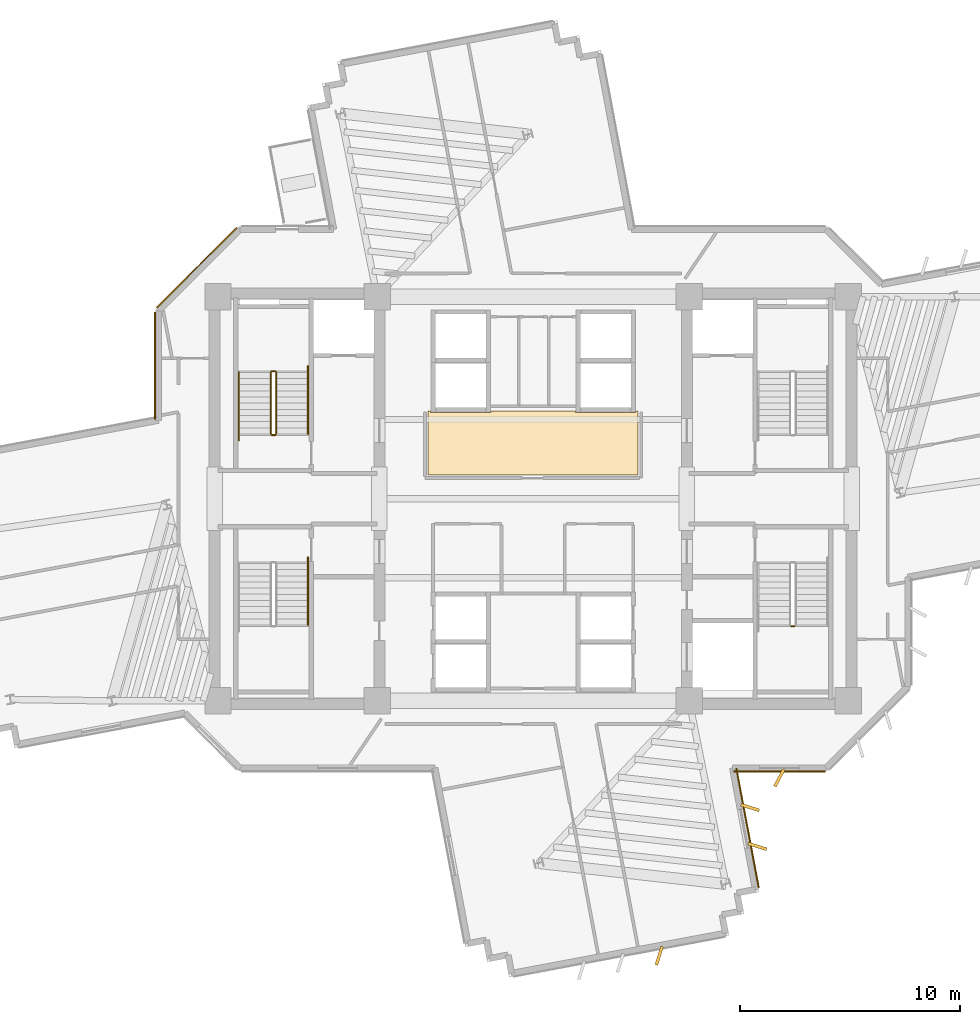
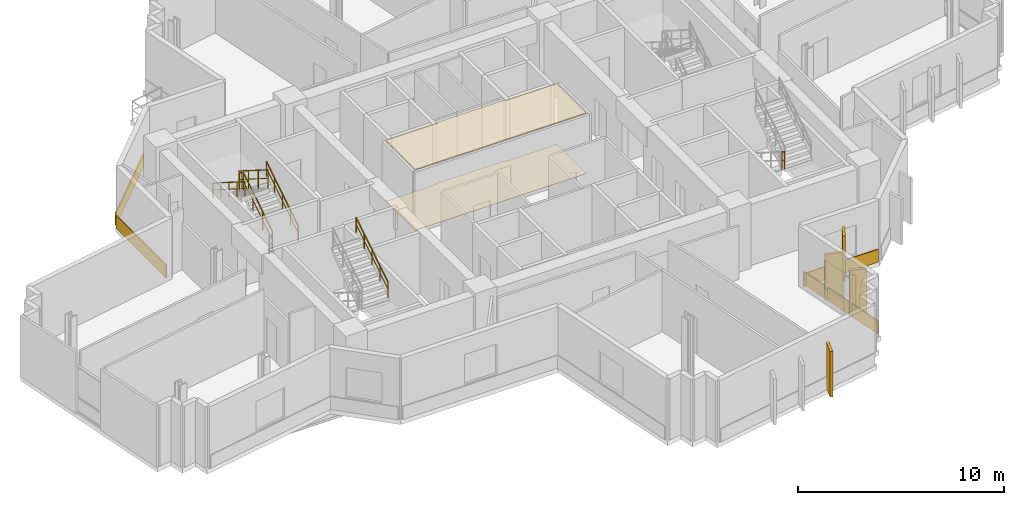
# One storey, part 14 of 16: 10 coverings, 8 railings.
"""IFC4 building model written with IfcOpenShell, lengths in metres."""

from ifc_helpers import new_model, si_unit, direction, frame, origin, origin_2d, place, context, subcontext, project, spatial, polyline, rectangle, outline, extrude, source, transform, mapped, material, layer, layer_set, type_object, element, save


model = new_model("IFC4")

# Units and contexts
model_context = context("Model", 3, precision=1e-05, world=origin(), true_north=direction((0.0, 1.0)))
body_context = subcontext(model_context, "Body", "Model", "MODEL_VIEW")
ifc_project = project(units=[si_unit("LENGTHUNIT", "METRE"), si_unit("AREAUNIT", "SQUARE_METRE"), si_unit("VOLUMEUNIT", "CUBIC_METRE"), si_unit("PLANEANGLEUNIT", "RADIAN"), si_unit("MASSUNIT", "GRAM", prefix="KILO")], contexts=[model_context])

# Site, building, storey
site_placement = place(None, origin())
site = spatial("IfcSite", under=ifc_project, at=site_placement, CompositionType="ELEMENT")
building_placement = place(site_placement, origin())
building = spatial("IfcBuilding", under=site, at=building_placement, Name="Zahravan Cultural Tower", CompositionType="ELEMENT")
storey_placement = place(building_placement, frame((0.0, 0.0, 151.199951171875)))
storey = spatial("IfcBuildingStorey", under=building, at=storey_placement, Name="L34", CompositionType="ELEMENT", Elevation=151.199951171875)

# Coverings
ifc_material_1 = material(Name="Acoustic mineral fibreboard")
ifc_layer_1 = layer(ifc_material_1, 0.0400390625)
ifc_layer_set_1 = layer_set([ifc_layer_1], Name="Acoustic mineral fibreboard")
covering_type_1 = type_object("IfcCoveringType", Name="COV-CEIL-AC20", PredefinedType="CEILING", material=ifc_layer_set_1)
covering_1_placement = place(storey_placement, frame((0.0, 0.0, 3.580078125)))
element("IfcCovering", 1, at=covering_1_placement, inside=storey, type_object=covering_type_1, Name="L34 Acoustic Suspended Ceiling", PredefinedType="CEILING", context=body_context, shape_type="SweptSolid", body=[
    extrude(outline(polyline([(31.219970703125, 31.0), (31.219970703125, 28.080078125), (40.780029296875, 28.080078125), (40.780029296875, 31.0), (40.669921875, 31.0), (40.669921875, 30.929931640625), (37.929931640625, 30.929931640625), (37.929931640625, 31.0), (34.070068359375, 31.0), (34.070068359375, 30.929931640625), (31.330078125, 30.929931640625), (31.330078125, 31.0), (31.219970703125, 31.0)])), origin(), (0.0, 0.0, 1.0), 0.0400390625),
])
ifc_material_2 = material(Name="Terrazzo flooring")
ifc_layer_2 = layer(ifc_material_2, 0.02490234375)
ifc_layer_set_2 = layer_set([ifc_layer_2], Name="Terrazzo flooring")
covering_type_2 = type_object("IfcCoveringType", Name="COV-FLR-TZ25", PredefinedType="FLOORING", material=ifc_layer_set_2)
covering_2_placement = place(storey_placement, origin())
element("IfcCovering", 2, at=covering_2_placement, inside=storey, type_object=covering_type_2, Name="L34 Polished Terrazzo Flooring", PredefinedType="FLOORING", context=body_context, shape_type="SweptSolid", body=[
    extrude(outline(polyline([(31.219970703125, 31.0), (31.219970703125, 28.080078125), (40.780029296875, 28.080078125), (40.780029296875, 31.0), (40.669921875, 31.0), (40.669921875, 30.929931640625), (37.929931640625, 30.929931640625), (37.929931640625, 31.0), (34.070068359375, 31.0), (34.070068359375, 30.929931640625), (31.330078125, 30.929931640625), (31.330078125, 31.0), (31.219970703125, 31.0)])), origin(), (0.0, 0.0, 1.0), 0.025146484375),
])

# Railings
ifc_material_3 = material(Name="Steel ASTM A572 Grade 50", Category="steel")
railing_type_1 = type_object("IfcRailingType", Name="RL-STAIR-GRD1150", PredefinedType="BALUSTRADE", material=ifc_material_3)
railing_1_placement = place(storey_placement, frame((24.300048828125, 29.949951171875, 0.17724609375)))
element("IfcRailing", 3, at=railing_1_placement, inside=storey, type_object=railing_type_1, Name="L34 ST-W1 stair guard 1", PredefinedType="BALUSTRADE", context=body_context, shape_type="SweptSolid", body=[
    extrude(rectangle(XDim=0.05, YDim=0.05, at=origin_2d()), frame((0.0, 0.0, 1.0751953125), z_axis=(0.0, 0.844908973607, 0.534910110503), x_axis=(-1.0, 0.0, 0.0)), (0.0, 0.0, 1.0), 3.31396484375),
    extrude(rectangle(XDim=0.032, YDim=0.032, at=origin_2d()), frame((0.0, 0.0, 0.572021484375), z_axis=(0.0, 0.844908973607, 0.534910110503), x_axis=(-1.0, 0.0, 0.0)), (0.0, 0.0, 1.0), 3.31396484375),
    extrude(rectangle(XDim=0.04, YDim=0.04, at=origin_2d()), origin(), (0.0, 0.0, 1.0), 1.10009765625),
    extrude(rectangle(XDim=0.04, YDim=0.04, at=origin_2d()), frame((0.0, 0.933349609375, 0.5908203125)), (0.0, 0.0, 1.0), 1.10009765625),
    extrude(rectangle(XDim=0.04, YDim=0.04, at=origin_2d()), frame((0.0, 1.86669921875, 1.181884765625)), (0.0, 0.0, 1.0), 1.10009765625),
    extrude(rectangle(XDim=0.04, YDim=0.04, at=origin_2d()), frame((0.0, 2.800048828125, 1.772705078125)), (0.0, 0.0, 1.0), 1.10009765625),
])
railing_2_placement = place(storey_placement, frame((24.25, 32.800048828125, 1.949951171875)))
element("IfcRailing", 4, at=railing_2_placement, inside=storey, type_object=railing_type_1, Name="L34 ST-W1 stair guard 2", PredefinedType="BALUSTRADE", context=body_context, shape_type="SweptSolid", body=[
    extrude(rectangle(XDim=0.05, YDim=0.05, at=origin_2d()), frame((0.0, 0.0, 1.0751953125), z_axis=(-1.0, 0.0, 0.0), x_axis=(0.0, -1.0, 0.0)), (0.0, 0.0, 1.0), 0.14990234375),
    extrude(rectangle(XDim=0.032, YDim=0.032, at=origin_2d()), frame((0.0, 0.0, 0.572021484375), z_axis=(-1.0, 0.0, 0.0), x_axis=(0.0, -1.0, 0.0)), (0.0, 0.0, 1.0), 0.14990234375),
    extrude(rectangle(XDim=0.04, YDim=0.04, at=origin_2d()), origin(), (0.0, 0.0, 1.0), 1.10009765625),
    extrude(rectangle(XDim=0.04, YDim=0.04, at=origin_2d()), frame((-0.14990234375, 0.0, 0.0)), (0.0, 0.0, 1.0), 1.10009765625),
])
railing_3_placement = place(storey_placement, frame((24.050048828125, 32.75, 2.12744140625)))
element("IfcRailing", 5, at=railing_3_placement, inside=storey, type_object=railing_type_1, Name="L34 ST-W1 stair guard 3", PredefinedType="BALUSTRADE", context=body_context, shape_type="SweptSolid", body=[
    extrude(rectangle(XDim=0.05, YDim=0.05, at=origin_2d()), frame((0.0, 0.0, 1.0751953125), z_axis=(0.0, -0.844908973607, 0.534910110503), x_axis=(1.0, 0.0, 0.0)), (0.0, 0.0, 1.0), 3.31396484375),
    extrude(rectangle(XDim=0.032, YDim=0.032, at=origin_2d()), frame((0.0, 0.0, 0.572021484375), z_axis=(0.0, -0.844908973607, 0.534910110503), x_axis=(1.0, 0.0, 0.0)), (0.0, 0.0, 1.0), 3.31396484375),
    extrude(rectangle(XDim=0.04, YDim=0.04, at=origin_2d()), origin(), (0.0, 0.0, 1.0), 1.10009765625),
    extrude(rectangle(XDim=0.04, YDim=0.04, at=origin_2d()), frame((0.0, -0.933349609375, 0.5908203125)), (0.0, 0.0, 1.0), 1.10009765625),
    extrude(rectangle(XDim=0.04, YDim=0.04, at=origin_2d()), frame((0.0, -1.86669921875, 1.181884765625)), (0.0, 0.0, 1.0), 1.10009765625),
    extrude(rectangle(XDim=0.04, YDim=0.04, at=origin_2d()), frame((0.0, -2.800048828125, 1.772705078125)), (0.0, 0.0, 1.0), 1.10009765625),
])
railing_4_placement = place(storey_placement, frame((24.25, 29.89990234375, 0.0)))
element("IfcRailing", 6, at=railing_4_placement, inside=storey, type_object=railing_type_1, Name="L34 ST-W1 stair guard 4", PredefinedType="BALUSTRADE", context=body_context, shape_type="SweptSolid", body=[
    extrude(rectangle(XDim=0.05, YDim=0.05, at=origin_2d()), frame((0.0, 0.0, 1.0751953125), z_axis=(-1.0, 0.0, 0.0), x_axis=(0.0, -1.0, 0.0)), (0.0, 0.0, 1.0), 0.14990234375),
    extrude(rectangle(XDim=0.032, YDim=0.032, at=origin_2d()), frame((0.0, 0.0, 0.572021484375), z_axis=(-1.0, 0.0, 0.0), x_axis=(0.0, -1.0, 0.0)), (0.0, 0.0, 1.0), 0.14990234375),
    extrude(rectangle(XDim=0.04, YDim=0.04, at=origin_2d()), origin(), (0.0, 0.0, 1.0), 1.10009765625),
    extrude(rectangle(XDim=0.04, YDim=0.04, at=origin_2d()), frame((-0.14990234375, 0.0, 0.0)), (0.0, 0.0, 1.0), 1.10009765625),
])
railing_5_placement = place(storey_placement, frame((47.75, 21.199951171875, 1.949951171875)))
element("IfcRailing", 7, at=railing_5_placement, inside=storey, type_object=railing_type_1, Name="L34 ST-E2 stair guard 2", PredefinedType="BALUSTRADE", context=body_context, shape_type="SweptSolid", body=[
    extrude(rectangle(XDim=0.05, YDim=0.05, at=origin_2d()), frame((0.0, 0.0, 1.0751953125), z_axis=(1.0, 0.0, 0.0), x_axis=(0.0, 1.0, 0.0)), (0.0, 0.0, 1.0), 0.14990234375),
    extrude(rectangle(XDim=0.032, YDim=0.032, at=origin_2d()), frame((0.0, 0.0, 0.572021484375), z_axis=(1.0, 0.0, 0.0), x_axis=(0.0, 1.0, 0.0)), (0.0, 0.0, 1.0), 0.14990234375),
    extrude(rectangle(XDim=0.04, YDim=0.04, at=origin_2d()), origin(), (0.0, 0.0, 1.0), 1.10009765625),
    extrude(rectangle(XDim=0.04, YDim=0.04, at=origin_2d()), frame((0.14990234375, 0.0, 0.0)), (0.0, 0.0, 1.0), 1.10009765625),
])
railing_type_2 = type_object("IfcRailingType", Name="RL-STAIR-HR900", PredefinedType="HANDRAIL", material=ifc_material_3)
railing_6_placement = place(storey_placement, frame((25.75, 29.949951171875, 0.17724609375)))
element("IfcRailing", 8, at=railing_6_placement, inside=storey, type_object=railing_type_2, Name="L34 ST-W1 stair handrail 1", PredefinedType="HANDRAIL", context=body_context, shape_type="SweptSolid", body=[
    extrude(rectangle(XDim=0.05, YDim=0.05, at=origin_2d()), frame((0.0, 0.0, 0.875), z_axis=(0.0, 0.844883648757, 0.534950109882), x_axis=(-1.0, 0.0, 0.0)), (0.0, 0.0, 1.0), 3.6455078125),
    extrude(rectangle(XDim=0.032, YDim=0.032, at=origin_2d()), frame((0.0, 0.0, 0.468017578125), z_axis=(0.0, 0.844883648757, 0.534950109882), x_axis=(-1.0, 0.0, 0.0)), (0.0, 0.0, 1.0), 3.6455078125),
    extrude(rectangle(XDim=0.04, YDim=0.04, at=origin_2d()), origin(), (0.0, 0.0, 1.0), 0.89990234375),
    extrude(rectangle(XDim=0.04, YDim=0.04, at=origin_2d()), frame((0.0, 0.77001953125, 0.487548828125)), (0.0, 0.0, 1.0), 0.89990234375),
    extrude(rectangle(XDim=0.04, YDim=0.04, at=origin_2d()), frame((0.0, 1.5400390625, 0.97509765625)), (0.0, 0.0, 1.0), 0.89990234375),
    extrude(rectangle(XDim=0.04, YDim=0.04, at=origin_2d()), frame((0.0, 2.31005859375, 1.462646484375)), (0.0, 0.0, 1.0), 0.89990234375),
    extrude(rectangle(XDim=0.04, YDim=0.04, at=origin_2d()), frame((0.0, 3.080078125, 1.9501953125)), (0.0, 0.0, 1.0), 0.89990234375),
])
railing_7_placement = place(storey_placement, frame((22.60009765625, 32.75, 2.12744140625)))
element("IfcRailing", 9, at=railing_7_placement, inside=storey, type_object=railing_type_2, Name="L34 ST-W1 stair handrail 2", PredefinedType="HANDRAIL", context=body_context, shape_type="SweptSolid", body=[
    extrude(rectangle(XDim=0.05, YDim=0.05, at=origin_2d()), frame((0.0, 0.0, 0.875), z_axis=(0.0, -0.844913916606, 0.534902302785), x_axis=(1.0, 0.0, 0.0)), (0.0, 0.0, 1.0), 3.6455078125),
    extrude(rectangle(XDim=0.032, YDim=0.032, at=origin_2d()), frame((0.0, 0.0, 0.468017578125), z_axis=(0.0, -0.844913916606, 0.534902302785), x_axis=(1.0, 0.0, 0.0)), (0.0, 0.0, 1.0), 3.6455078125),
    extrude(rectangle(XDim=0.04, YDim=0.04, at=origin_2d()), origin(), (0.0, 0.0, 1.0), 0.89990234375),
    extrude(rectangle(XDim=0.04, YDim=0.04, at=origin_2d()), frame((0.0, -0.77001953125, 0.487548828125)), (0.0, 0.0, 1.0), 0.89990234375),
    extrude(rectangle(XDim=0.04, YDim=0.04, at=origin_2d()), frame((0.0, -1.5400390625, 0.97509765625)), (0.0, 0.0, 1.0), 0.89990234375),
    extrude(rectangle(XDim=0.04, YDim=0.04, at=origin_2d()), frame((0.0, -2.31005859375, 1.46240234375)), (0.0, 0.0, 1.0), 0.89990234375),
    extrude(rectangle(XDim=0.04, YDim=0.04, at=origin_2d()), frame((0.0, -3.080078125, 1.949951171875)), (0.0, 0.0, 1.0), 0.89990234375),
])
railing_8_placement = place(storey_placement, frame((25.75, 21.25, 2.12744140625)))
element("IfcRailing", 10, at=railing_8_placement, inside=storey, type_object=railing_type_2, Name="L34 ST-W2 stair handrail 2", PredefinedType="HANDRAIL", context=body_context, shape_type="SweptSolid", body=[
    extrude(rectangle(XDim=0.05, YDim=0.05, at=origin_2d()), frame((0.0, 0.0, 0.875), z_axis=(0.0, 0.844913916606, 0.534902302785), x_axis=(-1.0, 0.0, 0.0)), (0.0, 0.0, 1.0), 3.6455078125),
    extrude(rectangle(XDim=0.032, YDim=0.032, at=origin_2d()), frame((0.0, 0.0, 0.468017578125), z_axis=(0.0, 0.844913916606, 0.534902302785), x_axis=(-1.0, 0.0, 0.0)), (0.0, 0.0, 1.0), 3.6455078125),
    extrude(rectangle(XDim=0.04, YDim=0.04, at=origin_2d()), origin(), (0.0, 0.0, 1.0), 0.89990234375),
    extrude(rectangle(XDim=0.04, YDim=0.04, at=origin_2d()), frame((0.0, 0.77001953125, 0.487548828125)), (0.0, 0.0, 1.0), 0.89990234375),
    extrude(rectangle(XDim=0.04, YDim=0.04, at=origin_2d()), frame((0.0, 1.5400390625, 0.97509765625)), (0.0, 0.0, 1.0), 0.89990234375),
    extrude(rectangle(XDim=0.04, YDim=0.04, at=origin_2d()), frame((0.0, 2.31005859375, 1.46240234375)), (0.0, 0.0, 1.0), 0.89990234375),
    extrude(rectangle(XDim=0.04, YDim=0.04, at=origin_2d()), frame((0.0, 3.080078125, 1.949951171875)), (0.0, 0.0, 1.0), 0.89990234375),
])

# Coverings
ifc_material_4 = material(Name="Terracotta ceramic cladding", Category="masonry")
ifc_layer_3 = layer(ifc_material_4, 0.06005859375)
ifc_layer_set_3 = layer_set([ifc_layer_3], Name="Terracotta ceramic cladding")
covering_type_3 = type_object("IfcCoveringType", Name="COV-CLAD-TC60", PredefinedType="CLADDING", material=ifc_layer_set_3)
shared_shape_1 = source(origin(), body_context, "Body", "SweptSolid", [
    extrude(rectangle(XDim=5.157958984375, YDim=0.06005859375, at=origin_2d()), origin(), (0.0, 0.0, 1.0), 0.760009765625),
])
covering_3_placement = place(storey_placement, frame((20.682373046875, 37.517578125, 0.02001953125), z_axis=(0.0, 0.0, 1.0), x_axis=(0.707106781187, 0.707106781187, 0.0)))
element("IfcCovering", 11, at=covering_3_placement, inside=storey, type_object=covering_type_3, Name="L34 Terracotta Spandrel Cladding 38", PredefinedType="CLADDING", context=body_context, shape_type="MappedRepresentation", body=[
    mapped(shared_shape_1, transform((0.0, 0.0, 0.0), x_axis=(1.0, 0.0, 0.0), y_axis=(0.0, 1.0, 0.0), z_axis=(0.0, 0.0, 1.0), scale=1.0)),
])
shared_shape_2 = source(origin(), body_context, "Body", "SweptSolid", [
    extrude(rectangle(XDim=0.8798828125, YDim=0.139892578125, at=origin_2d()), origin(), (0.0, 0.0, 1.0), 2.699951171875),
])
for number, where, z_axis, x_axis, name in (
    (12, (47.2109375, 14.2900390625, 0.05029296875), (0.0, 0.0, 1.0), (-0.469471562786, -0.882947592859, 0.0), "L34 Herringbone Terracotta Fin 11"),
    (13, (45.8759765625, 12.93896484375, 0.05029296875), (0.0, 0.0, 1.0), (0.954454073286, -0.298357875692, 0.0), "L34 Herringbone Terracotta Fin 12"),
    (14, (46.20849609375, 11.169921875, 0.05029296875), (0.0, 0.0, 1.0), (0.954454073286, -0.298357875692, 0.0), "L34 Herringbone Terracotta Fin 13"),
    (15, (41.740478515625, 6.192138671875, 0.05029296875), (0.0, 0.0, 1.0), (-0.298374534012, -0.954448865814, 0.0), "L34 Herringbone Terracotta Fin 14"),
):
    element("IfcCovering", number, at=place(storey_placement, frame(where, z_axis=z_axis, x_axis=x_axis)), inside=storey, type_object=covering_type_3, Name=name, PredefinedType="CLADDING", context=body_context, shape_type="MappedRepresentation", body=[
        mapped(shared_shape_2, transform((0.0, 0.0, 0.0), x_axis=(1.0, 0.0, 0.0), y_axis=(0.0, 1.0, 0.0), z_axis=(0.0, 0.0, 1.0), scale=1.0)),
    ])
shared_shape_3 = source(origin(), body_context, "Body", "SweptSolid", [
    extrude(rectangle(XDim=4.870361328125, YDim=0.06005859375, at=origin_2d()), origin(), (0.0, 0.0, 1.0), 0.760009765625),
])
covering_4_placement = place(storey_placement, frame((18.77490234375, 33.056884765625, 0.02001953125), z_axis=(0.0, 0.0, 1.0), x_axis=(0.0, 1.0, 0.0)))
element("IfcCovering", 16, at=covering_4_placement, inside=storey, type_object=covering_type_3, Name="L34 Terracotta Spandrel Cladding 37", PredefinedType="CLADDING", context=body_context, shape_type="MappedRepresentation", body=[
    mapped(shared_shape_3, transform((0.0, 0.0, 0.0), x_axis=(1.0, 0.0, 0.0), y_axis=(0.0, 1.0, 0.0), z_axis=(0.0, 0.0, 1.0), scale=1.0)),
])
shared_shape_4 = source(origin(), body_context, "Body", "SweptSolid", [
    extrude(rectangle(XDim=4.162353515625, YDim=0.06005859375, at=origin_2d()), origin(), (0.0, 0.0, 1.0), 0.760009765625),
])
covering_5_placement = place(storey_placement, frame((47.2109375, 14.574951171875, 0.02001953125), z_axis=(0.0, 0.0, 1.0), x_axis=(-1.0, 0.0, 0.0)))
element("IfcCovering", 17, at=covering_5_placement, inside=storey, type_object=covering_type_3, Name="L34 Terracotta Spandrel Cladding 13", PredefinedType="CLADDING", context=body_context, shape_type="MappedRepresentation", body=[
    mapped(shared_shape_4, transform((0.0, 0.0, 0.0), x_axis=(1.0, 0.0, 0.0), y_axis=(0.0, 1.0, 0.0), z_axis=(0.0, 0.0, 1.0), scale=1.0)),
])
shared_shape_5 = source(origin(), body_context, "Body", "SweptSolid", [
    extrude(rectangle(XDim=5.5341796875, YDim=0.06005859375, at=origin_2d()), origin(), (0.0, 0.0, 1.0), 0.760009765625),
])
covering_6_placement = place(storey_placement, frame((45.76220703125, 12.001708984375, 0.02001953125), z_axis=(0.0, 0.0, 1.0), x_axis=(0.184654677241, -0.982803464673, 0.0)))
element("IfcCovering", 18, at=covering_6_placement, inside=storey, type_object=covering_type_3, Name="L34 Terracotta Spandrel Cladding 14", PredefinedType="CLADDING", context=body_context, shape_type="MappedRepresentation", body=[
    mapped(shared_shape_5, transform((0.0, 0.0, 0.0), x_axis=(1.0, 0.0, 0.0), y_axis=(0.0, 1.0, 0.0), z_axis=(0.0, 0.0, 1.0), scale=1.0)),
])

save(model, "model.ifc")
